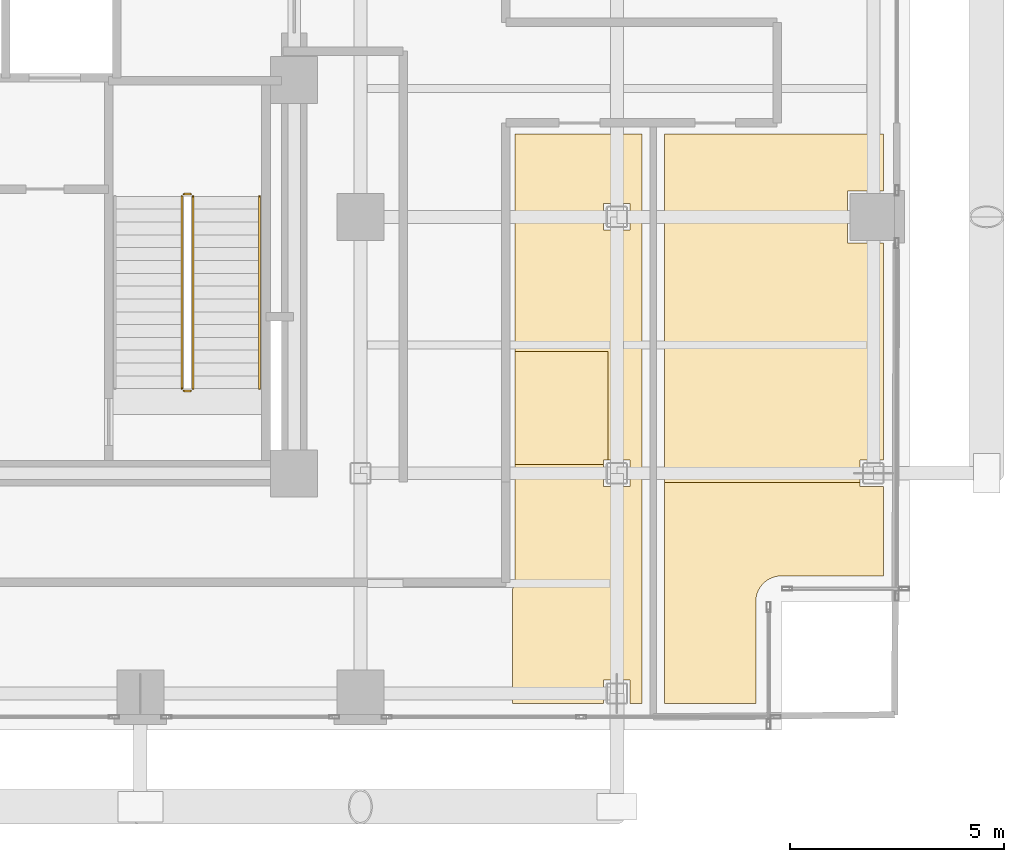
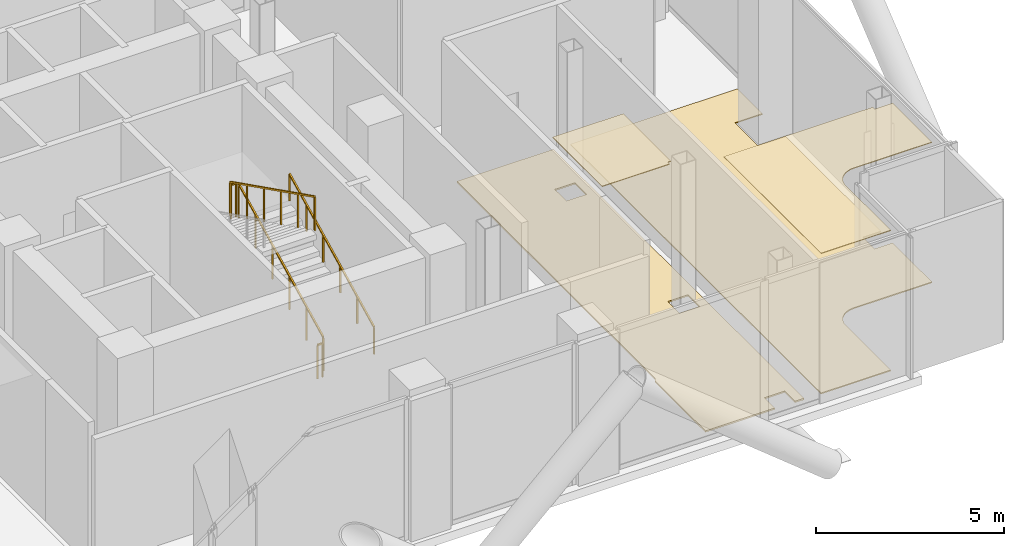
# One storey, part 24 of 25: 5 railings, 4 coverings.
"""IFC4 building model written with IfcOpenShell, lengths in metres."""

import ifcopenshell
import ifcopenshell.guid

model = None  # the IFC model being written
_history = None  # IfcOwnerHistory: only IFC2X3 demands one
_inside = {}  # id of a spatial element -> (the spatial element, [elements in it])
_under = {}  # id of a project, library or spatial element -> (it, [spatial elements below it])
_declared = {}  # id of a project -> (the project, [libraries it declares])
_typed = {}  # id of a type object -> (the type object, [elements of that type])
_made_of = {}  # id of a material, layer set ... -> (it, [elements and type objects made of it])


def new_model(schema):
    """Start an empty IFC model of exactly this schema.

    Asked for "IFC4X3", IfcOpenShell would pick the latest addendum, in which some entities
    have other attributes; the version numbers below select the first issue.
    IFC2X3 requires an IfcOwnerHistory on every rooted entity: one is made here for all.
    """
    global model, _history
    if schema == "IFC4X3":
        model = ifcopenshell.file(schema_version=(4, 3, 0, 0))
    else:
        model = ifcopenshell.file(schema=schema)
    _inside.clear()
    _under.clear()
    _declared.clear()
    _typed.clear()
    _made_of.clear()
    _history = None
    if model.schema == "IFC2X3":
        org = make("IfcOrganization", Name="unknown")
        user = make(
            "IfcPersonAndOrganization",
            ThePerson=make("IfcPerson", FamilyName="unknown"),
            TheOrganization=org,
        )
        app = make(
            "IfcApplication",
            ApplicationDeveloper=org,
            Version="unknown",
            ApplicationFullName="unknown",
            ApplicationIdentifier="unknown",
        )
        _history = make(
            "IfcOwnerHistory",
            OwningUser=user,
            OwningApplication=app,
            ChangeAction="ADDED",
            CreationDate=0,
        )
    return model


def make(cls, **values):
    """One entity of the class cls with the attributes given. An attribute that is None is left unset."""
    return model.create_entity(
        cls, **{name: value for name, value in values.items() if value is not None}
    )


def rooted(cls, **values):
    """An entity with a GlobalId (a new one), such as an element, a storey or a relation."""
    return make(cls, GlobalId=ifcopenshell.guid.new(), OwnerHistory=_history, **values)


def si_unit(unit_type, name, prefix=None):
    """IfcSIUnit, for example si_unit("LENGTHUNIT", "METRE", prefix="MILLI")."""
    return make("IfcSIUnit", UnitType=unit_type, Prefix=prefix, Name=name)


def assignment(units):
    """IfcUnitAssignment: the units of a project."""
    return None if units is None else make("IfcUnitAssignment", Units=units)


def point(xyz):
    """IfcCartesianPoint."""
    return None if xyz is None else make("IfcCartesianPoint", Coordinates=xyz)


def direction(xyz):
    """IfcDirection."""
    return None if xyz is None else make("IfcDirection", DirectionRatios=xyz)


def frame(location, z_axis=None, x_axis=None):
    """IfcAxis2Placement3D, a coordinate frame: its origin and axes. An axis left out is left unset."""
    return make(
        "IfcAxis2Placement3D",
        Location=point(location),
        Axis=direction(z_axis),
        RefDirection=direction(x_axis),
    )


def frame_2d(location, x_axis=None):
    """IfcAxis2Placement2D, a coordinate frame in the plane: its origin and x axis."""
    return make(
        "IfcAxis2Placement2D", Location=point(location), RefDirection=direction(x_axis)
    )


def origin():
    """The frame at (0, 0, 0) with its axes left unset."""
    return frame((0.0, 0.0, 0.0))


def origin_2d():
    """The frame at (0, 0) in the plane with its x axis left unset."""
    return frame_2d((0.0, 0.0))


def place(relative_to, where):
    """IfcLocalPlacement: puts the frame where relative to a parent placement (None: the world)."""
    return make(
        "IfcLocalPlacement", PlacementRelTo=relative_to, RelativePlacement=where
    )


def context(
    kind, dimensions, precision=None, world=None, true_north=None, identifier=None
):
    """IfcGeometricRepresentationContext, for example the 3D "Model" context."""
    return make(
        "IfcGeometricRepresentationContext",
        ContextIdentifier=identifier,
        ContextType=kind,
        CoordinateSpaceDimension=dimensions,
        Precision=precision,
        WorldCoordinateSystem=world,
        TrueNorth=true_north,
    )


def subcontext(parent, identifier, kind, view, scale=None):
    """IfcGeometricRepresentationSubContext, for example "Body" below "Model"."""
    return make(
        "IfcGeometricRepresentationSubContext",
        ContextIdentifier=identifier,
        ContextType=kind,
        ParentContext=parent,
        TargetScale=scale,
        TargetView=view,
    )


def project(units=None, contexts=None):
    """IfcProject with its units and contexts."""
    return rooted(
        "IfcProject",
        Name="project",
        RepresentationContexts=contexts,
        UnitsInContext=assignment(units),
    )


def spatial(cls, under=None, at=None, **own):
    """A site, building, storey or space (cls), placed at a placement, below another one or the project."""
    s = rooted(cls, ObjectPlacement=at, **own)
    if under is not None:
        _under.setdefault(under.id(), (under, []))[1].append(s)
    return s


def polyline(points):
    """IfcPolyline through the points."""
    return make("IfcPolyline", Points=[point(p) for p in points])


def profile(cls, at=None, kind="AREA", **sizes):
    """A parametric profile (cls). Its sizes go by their IFC names, for example OverallWidth=200.0."""
    return make(cls, ProfileType=kind, Position=at, **sizes)


def rectangle(**sizes):
    """IfcRectangleProfileDef."""
    return profile("IfcRectangleProfileDef", **sizes)


def outline(outer, holes=None, kind="AREA"):
    """IfcArbitraryClosedProfileDef: a profile drawn as a closed curve; with holes, ...WithVoids."""
    if holes is None:
        return make("IfcArbitraryClosedProfileDef", ProfileType=kind, OuterCurve=outer)
    return make(
        "IfcArbitraryProfileDefWithVoids",
        ProfileType=kind,
        OuterCurve=outer,
        InnerCurves=holes,
    )


def extrude(swept, where, along, depth):
    """IfcExtrudedAreaSolid: the profile swept, set in the frame where, extruded along a direction by depth."""
    return make(
        "IfcExtrudedAreaSolid",
        SweptArea=swept,
        Position=where,
        ExtrudedDirection=direction(along),
        Depth=depth,
    )


def shape(context_of_items, identifier, shape_type, items):
    """IfcShapeRepresentation: the items that make up one representation, for example the "Body"."""
    return make(
        "IfcShapeRepresentation",
        ContextOfItems=context_of_items,
        RepresentationIdentifier=identifier,
        RepresentationType=shape_type,
        Items=items,
    )


def material(Name=None, Category=None):
    """IfcMaterial."""
    return make("IfcMaterial", Name=Name, Category=Category)


def layer(
    of_material, thickness, ventilated=None, Name=None, Category=None, Priority=None
):
    """IfcMaterialLayer: one layer of a wall or slab, of a material (None: an air gap)."""
    return make(
        "IfcMaterialLayer",
        Material=of_material,
        LayerThickness=thickness,
        IsVentilated=ventilated,
        Name=Name,
        Category=Category,
        Priority=Priority,
    )


def layer_set(layers, Name=None):
    """IfcMaterialLayerSet."""
    return make("IfcMaterialLayerSet", MaterialLayers=layers, LayerSetName=Name)


def made_of(thing, what):
    """Note that an element or type object is made of a material, layer set ...; save() writes the relation."""
    if what is not None:
        _made_of.setdefault(what.id(), (what, []))[1].append(thing)
    return thing


def type_object(cls, material=None, **own):
    """A type object (cls), such as IfcWallType, which elements share."""
    return made_of(rooted(cls, **own), material)


def element(
    cls,
    number,
    at=None,
    inside=None,
    cuts=None,
    type_object=None,
    material=None,
    context=None,
    identifier="Body",
    shape_type=None,
    held_by="IfcProductDefinitionShape",
    body=None,
    shapes=None,
    **own,
):
    """One element of the class cls, such as IfcWall. Its Tag is "e" and its number.

    at: its placement. inside: the storey or other place that contains it. cuts: it is an
    opening in that element (IfcRelVoidsElement). A single representation is given by context,
    identifier, shape_type and body (its items); several are given by shapes. held_by: the class
    of the entity that holds the representations. save() writes the other relations.
    """
    e = rooted(cls, Tag="e%d" % number, ObjectPlacement=at, **own)
    if body is not None:
        shapes = [shape(context, identifier, shape_type, body)]
    if shapes is not None:
        e.Representation = make(held_by, Representations=shapes)
    if inside is not None:
        _inside.setdefault(inside.id(), (inside, []))[1].append(e)
    if cuts is not None:
        rooted(
            "IfcRelVoidsElement", RelatingBuildingElement=cuts, RelatedOpeningElement=e
        )
    if type_object is not None:
        _typed.setdefault(type_object.id(), (type_object, []))[1].append(e)
    return made_of(e, material)


def aggregate(whole, parts):
    """IfcRelAggregates: a whole, such as a stair, and the parts it consists of."""
    return rooted("IfcRelAggregates", RelatingObject=whole, RelatedObjects=parts)


def save(model, path):
    """Write the relations noted so far, then the file.

    IfcRelAggregates (storeys below a building ...), IfcRelContainedInSpatialStructure (elements
    in a storey), IfcRelDefinesByType, IfcRelAssociatesMaterial and IfcRelDeclares: one each for
    every whole, place, type object, material and project.
    """
    for whole, parts in _under.values():
        aggregate(whole, parts)
    for where, things in _inside.values():
        rooted(
            "IfcRelContainedInSpatialStructure",
            RelatedElements=things,
            RelatingStructure=where,
        )
    for kind, things in _typed.values():
        rooted("IfcRelDefinesByType", RelatedObjects=things, RelatingType=kind)
    for what, things in _made_of.values():
        rooted("IfcRelAssociatesMaterial", RelatedObjects=things, RelatingMaterial=what)
    for by, libraries in _declared.values():
        rooted("IfcRelDeclares", RelatingContext=by, RelatedDefinitions=libraries)
    model.write(path)


model = new_model("IFC4")

# Units and contexts
model_context = context("Model", 3, precision=1e-05, world=origin(), true_north=direction((0.0, 1.0)))
body_context = subcontext(model_context, "Body", "Model", "MODEL_VIEW")
ifc_project = project(units=[si_unit("LENGTHUNIT", "METRE"), si_unit("AREAUNIT", "SQUARE_METRE"), si_unit("VOLUMEUNIT", "CUBIC_METRE"), si_unit("PLANEANGLEUNIT", "RADIAN"), si_unit("MASSUNIT", "GRAM", prefix="KILO"), si_unit("THERMODYNAMICTEMPERATUREUNIT", "KELVIN"), si_unit("POWERUNIT", "WATT")], contexts=[model_context])

# Site, building, storey
site_placement = place(None, origin())
site = spatial("IfcSite", under=ifc_project, at=site_placement, CompositionType="ELEMENT")
building_placement = place(site_placement, origin())
building = spatial("IfcBuilding", under=site, at=building_placement, Name="Svarakhadi Broadcast Tower", CompositionType="ELEMENT")
storey_placement = place(building_placement, frame((0.0, 0.0, 110.85009765625)))
storey = spatial("IfcBuildingStorey", under=building, at=storey_placement, Name="L26", CompositionType="ELEMENT", Elevation=110.85009765625)

# Coverings
ifc_material_1 = material(Name="Micro-Perforated Mineral Fibre Acoustic Ceiling Tile", Category="mineral_fibre")
ifc_layer_1 = layer(ifc_material_1, 0.02490234375)
ifc_layer_set_1 = layer_set([ifc_layer_1], Name="Micro-Perforated Mineral Fibre Acoustic Ceiling Tile")
covering_type_1 = type_object("IfcCoveringType", Name="Cov_Ceiling_Tile", PredefinedType="CEILING", material=ifc_layer_set_1)
covering_1_placement = place(storey_placement, frame((0.0, 0.0, 4.5498046875)))
element("IfcCovering", 1, at=covering_1_placement, inside=storey, type_object=covering_type_1, Name="L26 L26 Broadcast Press Town-Hall Room Acoustic Ceiling", PredefinedType="CEILING", context=body_context, shape_type="SweptSolid", body=[
    extrude(outline(polyline([(38.77001953125, 8.844970703125), (40.93994140625, 8.844970703125), (40.93994140625, 6.31005859375), (40.840087890625, 6.31005859375), (40.840087890625, 6.2099609375), (38.77001953125, 6.2099609375), (38.77001953125, 8.844970703125)])), origin(), (0.0, 0.0, 1.0), 0.025146484375),
])
covering_2_placement = place(storey_placement, frame((0.0, 0.0, 4.5498046875)))
element("IfcCovering", 2, at=covering_2_placement, inside=storey, type_object=covering_type_1, Name="L26 L26 Catering Preparation Kitchen Acoustic Ceiling", PredefinedType="CEILING", context=body_context, shape_type="SweptSolid", body=[
    extrude(outline(polyline([(47.389892578125, 3.60009765625), (45.0, 3.60009765625), (44.990966796875, 3.60009765625), (44.949951171875, 3.597900390625), (44.93310546875, 3.595947265625), (44.89208984375, 3.590087890625), (44.8740234375, 3.5869140625), (44.833984375, 3.576904296875), (44.81689453125, 3.571044921875), (44.778076171875, 3.556884765625), (44.760009765625, 3.550048828125), (44.722900390625, 3.531982421875), (44.708984375, 3.52392578125), (44.674072265625, 3.5029296875), (44.660888671875, 3.4951171875), (44.6279296875, 3.470947265625), (44.613037109375, 3.458984375), (44.58203125, 3.430908203125), (44.569091796875, 3.41796875), (44.541015625, 3.386962890625), (44.529052734375, 3.3720703125), (44.5048828125, 3.339111328125), (44.4970703125, 3.325927734375), (44.47607421875, 3.291015625), (44.468017578125, 3.277099609375), (44.449951171875, 3.239990234375), (44.443115234375, 3.221923828125), (44.428955078125, 3.18310546875), (44.423095703125, 3.166015625), (44.4130859375, 3.1259765625), (44.409912109375, 3.10791015625), (44.404052734375, 3.06689453125), (44.402099609375, 3.050048828125), (44.39990234375, 3.009033203125), (44.39990234375, 3.0), (44.39990234375, 0.610107421875), (42.260009765625, 0.610107421875), (42.260009765625, 5.7900390625), (46.840087890625, 5.7900390625), (46.840087890625, 5.68994140625), (47.389892578125, 5.68994140625), (47.389892578125, 3.60009765625)])), origin(), (0.0, 0.0, 1.0), 0.025146484375),
])
ifc_material_2 = material(Name="Heavy-Duty Anti-Static Broadcast Raised Access Floor", Category="steel")
ifc_layer_2 = layer(ifc_material_2, 0.050048828125)
ifc_layer_set_2 = layer_set([ifc_layer_2], Name="Heavy-Duty Anti-Static Broadcast Raised Access Floor")
covering_type_2 = type_object("IfcCoveringType", Name="Cov_Floor_Access", PredefinedType="FLOORING", material=ifc_layer_set_2)
covering_3_placement = place(storey_placement, origin())
element("IfcCovering", 3, at=covering_3_placement, inside=storey, type_object=covering_type_2, Name="L26 L26 Broadcast Press Town-Hall Room Floor Finish", PredefinedType="FLOORING", context=body_context, shape_type="SweptSolid", body=[
    extrude(outline(polyline([(38.719970703125, 3.31103515625), (38.73095703125, 3.324951171875), (38.73291015625, 3.327880859375), (38.735107421875, 3.3310546875), (38.74609375, 3.35107421875), (38.748046875, 3.35498046875), (38.758056640625, 3.3779296875), (38.759033203125, 3.381103515625), (38.762939453125, 3.39404296875), (38.763916015625, 3.39794921875), (38.764892578125, 3.402099609375), (38.76904296875, 3.424072265625), (38.77001953125, 3.446044921875), (38.77001953125, 13.93994140625), (41.739990234375, 13.93994140625), (41.739990234375, 0.610107421875), (41.4599609375, 0.610107421875), (41.4599609375, 1.159912109375), (40.840087890625, 1.159912109375), (40.840087890625, 0.610107421875), (38.7099609375, 0.610107421875), (38.7099609375, 3.300048828125), (38.719970703125, 3.31103515625)]), holes=[polyline([(41.4599609375, 5.68994140625), (41.4599609375, 6.31005859375), (40.840087890625, 6.31005859375), (40.840087890625, 5.68994140625), (41.4599609375, 5.68994140625)]), polyline([(41.4599609375, 11.68994140625), (41.4599609375, 12.31005859375), (40.840087890625, 12.31005859375), (40.840087890625, 11.68994140625), (41.4599609375, 11.68994140625)])]), origin(), (0.0, 0.0, 1.0), 0.0498046875),
])
ifc_material_3 = material(Name="Honed Konkan Basalt Stone Tile Flooring", Category="masonry")
ifc_layer_3 = layer(ifc_material_3, 0.034912109375)
ifc_layer_set_3 = layer_set([ifc_layer_3], Name="Honed Konkan Basalt Stone Tile Flooring")
covering_type_3 = type_object("IfcCoveringType", Name="Cov_Floor_Basalt", PredefinedType="FLOORING", material=ifc_layer_set_3)
covering_4_placement = place(storey_placement, origin())
element("IfcCovering", 4, at=covering_4_placement, inside=storey, type_object=covering_type_3, Name="L26 L26 Catering Preparation Kitchen Floor Finish", PredefinedType="FLOORING", context=body_context, shape_type="SweptSolid", body=[
    extrude(outline(polyline([(47.389892578125, 13.93994140625), (47.389892578125, 12.610107421875), (46.5400390625, 12.610107421875), (46.5400390625, 11.389892578125), (47.389892578125, 11.389892578125), (47.389892578125, 6.31005859375), (46.840087890625, 6.31005859375), (46.840087890625, 5.68994140625), (47.389892578125, 5.68994140625), (47.389892578125, 3.60009765625), (45.0, 3.60009765625), (44.990966796875, 3.60009765625), (44.949951171875, 3.597900390625), (44.93310546875, 3.595947265625), (44.89208984375, 3.590087890625), (44.8740234375, 3.5869140625), (44.833984375, 3.576904296875), (44.81689453125, 3.571044921875), (44.778076171875, 3.556884765625), (44.760009765625, 3.550048828125), (44.722900390625, 3.531982421875), (44.708984375, 3.52392578125), (44.674072265625, 3.5029296875), (44.660888671875, 3.4951171875), (44.6279296875, 3.470947265625), (44.613037109375, 3.458984375), (44.58203125, 3.430908203125), (44.569091796875, 3.41796875), (44.541015625, 3.386962890625), (44.529052734375, 3.3720703125), (44.5048828125, 3.339111328125), (44.4970703125, 3.325927734375), (44.47607421875, 3.291015625), (44.468017578125, 3.277099609375), (44.449951171875, 3.239990234375), (44.443115234375, 3.221923828125), (44.428955078125, 3.18310546875), (44.423095703125, 3.166015625), (44.4130859375, 3.1259765625), (44.409912109375, 3.10791015625), (44.404052734375, 3.06689453125), (44.402099609375, 3.050048828125), (44.39990234375, 3.009033203125), (44.39990234375, 3.0), (44.39990234375, 0.610107421875), (42.260009765625, 0.610107421875), (42.260009765625, 13.93994140625), (47.389892578125, 13.93994140625)])), origin(), (0.0, 0.0, 1.0), 0.034912109375),
])

# Railings
ifc_material_4 = material(Name="Anodised Bronze Aluminium AA 6063-T6", Category="aluminium")
railing_type_1 = type_object("IfcRailingType", Name="Guard_Stair_GR01", PredefinedType="GUARDRAIL", material=ifc_material_4)
railing_1_placement = place(storey_placement, frame((31.22998046875, 7.97998046875, 0.14990234375)))
element("IfcRailing", 5, at=railing_1_placement, inside=storey, type_object=railing_type_1, Name="L26 ST-02 stair guard 1", PredefinedType="GUARDRAIL", context=body_context, shape_type="SweptSolid", body=[
    extrude(rectangle(XDim=0.048095703125, YDim=0.048095703125, at=origin_2d()), frame((0.0, 0.0, 1.09619140625), z_axis=(0.0, 0.894427191, 0.4472135955), x_axis=(-1.0, 0.0, 0.0)), (0.0, 0.0, 1.0), 5.03125),
    extrude(rectangle(XDim=0.0419921875, YDim=0.0419921875, at=origin_2d()), origin(), (0.0, 0.0, 1.0), 1.072021484375),
    extrude(rectangle(XDim=0.0419921875, YDim=0.0419921875, at=origin_2d()), frame((0.0, 0.89990234375, 0.449951171875)), (0.0, 0.0, 1.0), 1.072021484375),
    extrude(rectangle(XDim=0.0419921875, YDim=0.0419921875, at=origin_2d()), frame((0.0, 1.800048828125, 0.89990234375)), (0.0, 0.0, 1.0), 1.072021484375),
    extrude(rectangle(XDim=0.0419921875, YDim=0.0419921875, at=origin_2d()), frame((0.0, 2.699951171875, 1.35009765625)), (0.0, 0.0, 1.0), 1.072021484375),
    extrude(rectangle(XDim=0.0419921875, YDim=0.0419921875, at=origin_2d()), frame((0.0, 3.60009765625, 1.800048828125)), (0.0, 0.0, 1.0), 1.072021484375),
    extrude(rectangle(XDim=0.0419921875, YDim=0.0419921875, at=origin_2d()), frame((0.0, 4.5, 2.25)), (0.0, 0.0, 1.0), 1.072021484375),
])
railing_2_placement = place(storey_placement, frame((31.179931640625, 12.530029296875, 2.39990234375)))
element("IfcRailing", 6, at=railing_2_placement, inside=storey, type_object=railing_type_1, Name="L26 ST-02 stair guard 2", PredefinedType="GUARDRAIL", context=body_context, shape_type="SweptSolid", body=[
    extrude(rectangle(XDim=0.048095703125, YDim=0.048095703125, at=origin_2d()), frame((0.0, 0.0, 1.09619140625), z_axis=(-1.0, 0.0, 0.0), x_axis=(0.0, -1.0, 0.0)), (0.0, 0.0, 1.0), 0.159912109375),
    extrude(rectangle(XDim=0.0419921875, YDim=0.0419921875, at=origin_2d()), origin(), (0.0, 0.0, 1.0), 1.072021484375),
    extrude(rectangle(XDim=0.0419921875, YDim=0.0419921875, at=origin_2d()), frame((-0.159912109375, 0.0, 0.0)), (0.0, 0.0, 1.0), 1.072021484375),
])
railing_3_placement = place(storey_placement, frame((30.969970703125, 12.47998046875, 2.5498046875)))
element("IfcRailing", 7, at=railing_3_placement, inside=storey, type_object=railing_type_1, Name="L26 ST-02 stair guard 3", PredefinedType="GUARDRAIL", context=body_context, shape_type="SweptSolid", body=[
    extrude(rectangle(XDim=0.048095703125, YDim=0.048095703125, at=origin_2d()), frame((0.0, 0.0, 1.09619140625), z_axis=(0.0, -0.894427191, 0.4472135955), x_axis=(1.0, 0.0, 0.0)), (0.0, 0.0, 1.0), 5.03125),
    extrude(rectangle(XDim=0.0419921875, YDim=0.0419921875, at=origin_2d()), origin(), (0.0, 0.0, 1.0), 1.072021484375),
    extrude(rectangle(XDim=0.0419921875, YDim=0.0419921875, at=origin_2d()), frame((0.0, -0.89990234375, 0.449951171875)), (0.0, 0.0, 1.0), 1.072021484375),
    extrude(rectangle(XDim=0.0419921875, YDim=0.0419921875, at=origin_2d()), frame((0.0, -1.800048828125, 0.89990234375)), (0.0, 0.0, 1.0), 1.072021484375),
    extrude(rectangle(XDim=0.0419921875, YDim=0.0419921875, at=origin_2d()), frame((0.0, -2.699951171875, 1.35009765625)), (0.0, 0.0, 1.0), 1.072021484375),
    extrude(rectangle(XDim=0.0419921875, YDim=0.0419921875, at=origin_2d()), frame((0.0, -3.60009765625, 1.800048828125)), (0.0, 0.0, 1.0), 1.072021484375),
    extrude(rectangle(XDim=0.0419921875, YDim=0.0419921875, at=origin_2d()), frame((0.0, -4.5, 2.25)), (0.0, 0.0, 1.0), 1.072021484375),
])
railing_4_placement = place(storey_placement, frame((31.179931640625, 7.929931640625, 0.0)))
element("IfcRailing", 8, at=railing_4_placement, inside=storey, type_object=railing_type_1, Name="L26 ST-02 stair guard 4", PredefinedType="GUARDRAIL", context=body_context, shape_type="SweptSolid", body=[
    extrude(rectangle(XDim=0.048095703125, YDim=0.048095703125, at=origin_2d()), frame((0.0, 0.0, 1.09619140625), z_axis=(-1.0, 0.0, 0.0), x_axis=(0.0, -1.0, 0.0)), (0.0, 0.0, 1.0), 0.159912109375),
    extrude(rectangle(XDim=0.0419921875, YDim=0.0419921875, at=origin_2d()), origin(), (0.0, 0.0, 1.0), 1.072021484375),
    extrude(rectangle(XDim=0.0419921875, YDim=0.0419921875, at=origin_2d()), frame((-0.159912109375, 0.0, 0.0)), (0.0, 0.0, 1.0), 1.072021484375),
])
railing_type_2 = type_object("IfcRailingType", Name="Handrail_Stair_HR01", PredefinedType="HANDRAIL", material=ifc_material_4)
railing_5_placement = place(storey_placement, frame((32.7900390625, 7.97998046875, 0.14990234375)))
element("IfcRailing", 9, at=railing_5_placement, inside=storey, type_object=railing_type_2, Name="L26 ST-02 stair handrail 1", PredefinedType="HANDRAIL", context=body_context, shape_type="SweptSolid", body=[
    extrude(rectangle(XDim=0.048095703125, YDim=0.048095703125, at=origin_2d()), frame((0.0, 0.0, 0.8759765625), z_axis=(0.0, 0.894427191, 0.4472135955), x_axis=(-1.0, 0.0, 0.0)), (0.0, 0.0, 1.0), 5.03125),
    extrude(rectangle(XDim=0.0419921875, YDim=0.0419921875, at=origin_2d()), origin(), (0.0, 0.0, 1.0), 0.851806640625),
    extrude(rectangle(XDim=0.0419921875, YDim=0.0419921875, at=origin_2d()), frame((0.0, 0.89990234375, 0.449951171875)), (0.0, 0.0, 1.0), 0.851806640625),
    extrude(rectangle(XDim=0.0419921875, YDim=0.0419921875, at=origin_2d()), frame((0.0, 1.800048828125, 0.89990234375)), (0.0, 0.0, 1.0), 0.851806640625),
    extrude(rectangle(XDim=0.0419921875, YDim=0.0419921875, at=origin_2d()), frame((0.0, 2.699951171875, 1.35009765625)), (0.0, 0.0, 1.0), 0.851806640625),
    extrude(rectangle(XDim=0.0419921875, YDim=0.0419921875, at=origin_2d()), frame((0.0, 3.60009765625, 1.800048828125)), (0.0, 0.0, 1.0), 0.851806640625),
    extrude(rectangle(XDim=0.0419921875, YDim=0.0419921875, at=origin_2d()), frame((0.0, 4.5, 2.25)), (0.0, 0.0, 1.0), 0.851806640625),
])

save(model, "model.ifc")
